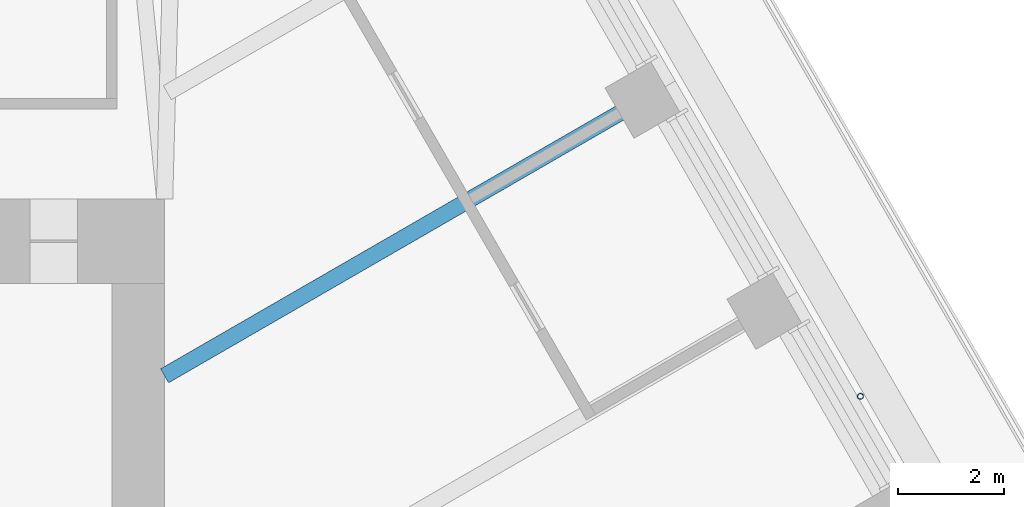
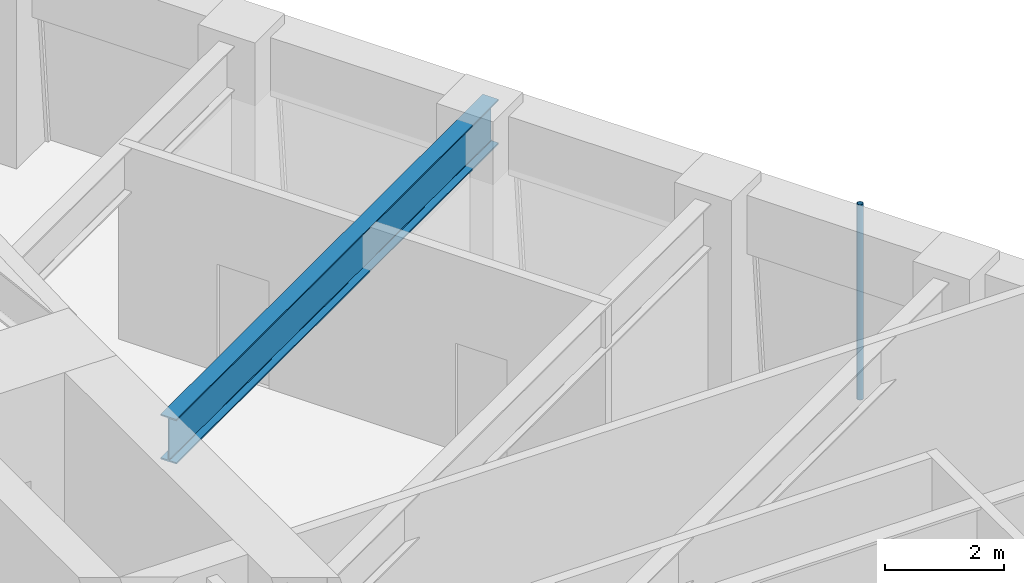
# One storey, part 10 of 20: 1 beam, 1 member.
"""IFC4 building model written with IfcOpenShell, lengths in metres."""

from ifc_helpers import new_model, si_unit, direction, frame, origin, origin_2d, place, context, subcontext, project, spatial, hollow_circle, i_section, extrude, material, material_profile, profile_set, type_object, element, save


model = new_model("IFC4")

# Units and contexts
model_context = context("Model", 3, precision=1e-05, world=origin(), true_north=direction((0.0, 1.0)))
body_context = subcontext(model_context, "Body", "Model", "MODEL_VIEW")
ifc_project = project(units=[si_unit("LENGTHUNIT", "METRE"), si_unit("AREAUNIT", "SQUARE_METRE"), si_unit("VOLUMEUNIT", "CUBIC_METRE"), si_unit("PLANEANGLEUNIT", "RADIAN"), si_unit("MASSUNIT", "GRAM", prefix="KILO")], contexts=[model_context])

# Site, building, storey
site_placement = place(None, origin())
site = spatial("IfcSite", under=ifc_project, at=site_placement, CompositionType="ELEMENT")
building_placement = place(site_placement, origin())
building = spatial("IfcBuilding", under=site, at=building_placement, Name="Tarfa Lantern Tower", CompositionType="ELEMENT")
storey_placement = place(building_placement, frame((0.0, 0.0, 278.5)))
storey = spatial("IfcBuildingStorey", under=building, at=storey_placement, Name="L63", CompositionType="ELEMENT", Elevation=278.5)

# Member
ifc_material_1 = material(Name="Steel S355", Category="steel")
ifc_material_profile_1 = material_profile(ifc_material_1, hollow_circle(Radius=0.05712890625, WallThickness=0.00634765625, at=origin_2d()), Name="CHS114.3x6.3")
ifc_profile_set_1 = profile_set([ifc_material_profile_1], Name="Steel S355")
member_type = type_object("IfcMemberType", Name="TR1 GREEN WALL TRELLIS CHS114.3x6.3", PredefinedType="USERDEFINED", material=ifc_profile_set_1)
member_placement = place(storey_placement, frame((28.682861328125, 8.56005859375, 0.0), z_axis=(0.0, 0.0, 1.0), x_axis=(1.0, 0.0, 0.0)))
element("IfcMember", 1, at=member_placement, inside=storey, type_object=member_type, Name="Trellis post NE 1", ObjectType="TRELLIS", PredefinedType="USERDEFINED", context=body_context, shape_type="SweptSolid", body=[
    extrude(hollow_circle(Radius=0.05712890625, WallThickness=0.00634765625, at=origin_2d()), origin(), (0.0, 0.0, 1.0), 4.0),
])

# Beam
ifc_material_2 = material(Name="Steel S460M", Category="steel")
ifc_material_profile_2 = material_profile(ifc_material_2, i_section(OverallWidth=0.305419921875, OverallDepth=0.91845703125, WebThickness=0.017333984375, FlangeThickness=0.02783203125, FilletRadius=0.01904296875, at=origin_2d()), Name="UB914x305x253")
ifc_profile_set_2 = profile_set([ifc_material_profile_2], Name="Steel S460M")
beam_type = type_object("IfcBeamType", Name="UB914x305x253", PredefinedType="BEAM", material=ifc_profile_set_2)
beam_placement = place(storey_placement, frame((24.872314453125, 14.360107421875, 3.540771484375), z_axis=(-0.8660244219, -0.500001700669, 0.0), x_axis=(0.500001700669, -0.8660244219, 0.0)))
element("IfcBeam", 2, at=beam_placement, inside=storey, type_object=beam_type, Name="Floor beam NE3", PredefinedType="BEAM", context=body_context, shape_type="SweptSolid", body=[
    extrude(i_section(OverallWidth=0.305419921875, OverallDepth=0.91845703125, WebThickness=0.017333984375, FlangeThickness=0.02783203125, FilletRadius=0.01904296875, at=origin_2d()), origin(), (0.0, 0.0, 1.0), 10.822265625),
])

save(model, "model.ifc")
